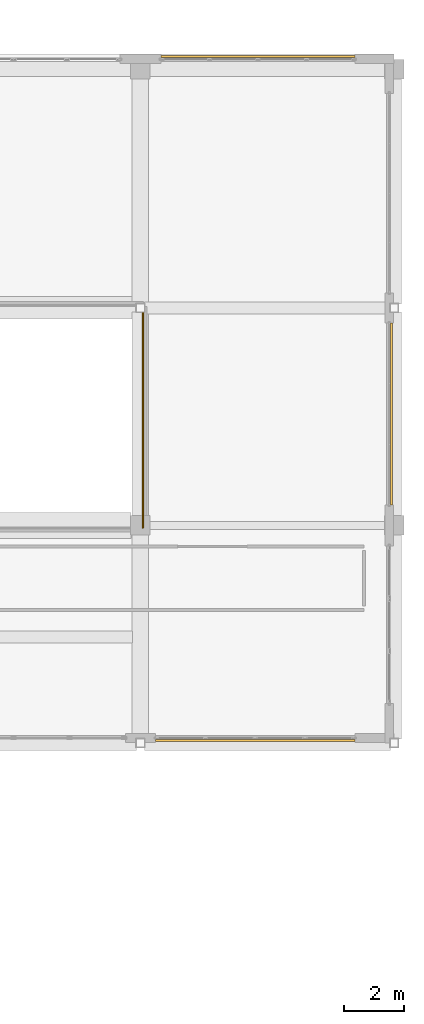
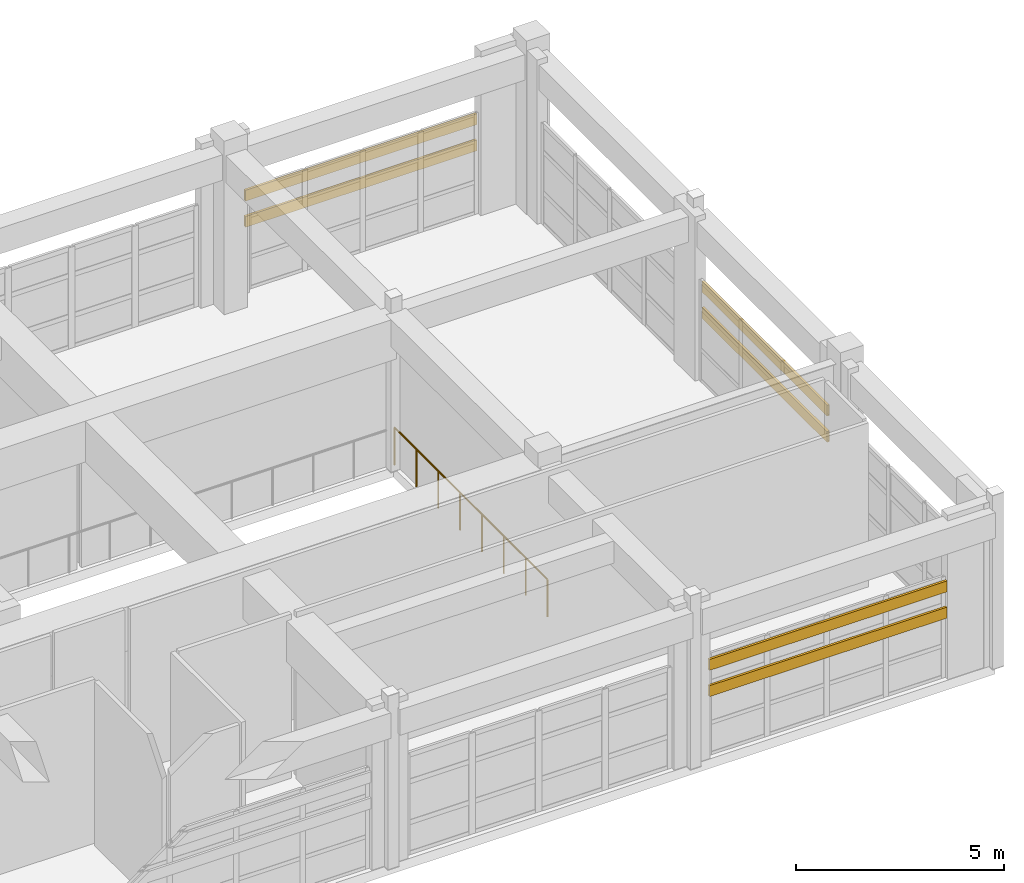
# One storey, part 103 of 103: 6 shading devices, 1 railing.
"""IFC4 building model written with IfcOpenShell, lengths in metres."""

from ifc_helpers import new_model, si_unit, direction, frame, origin, origin_2d, place, context, subcontext, project, spatial, hollow_rectangle, circle, extrude, material, material_profile, profile_set, type_object, element, save


model = new_model("IFC4")

# Units and contexts
model_context = context("Model", 3, precision=1e-05, world=origin(), true_north=direction((0.0, 1.0)))
body_context = subcontext(model_context, "Body", "Model", "MODEL_VIEW")
ifc_project = project(units=[si_unit("LENGTHUNIT", "METRE"), si_unit("AREAUNIT", "SQUARE_METRE"), si_unit("VOLUMEUNIT", "CUBIC_METRE"), si_unit("PLANEANGLEUNIT", "RADIAN"), si_unit("MASSUNIT", "GRAM", prefix="KILO")], contexts=[model_context])

# Site, building, storey
site_placement = place(None, origin())
site = spatial("IfcSite", under=ifc_project, at=site_placement, CompositionType="ELEMENT")
building_placement = place(site_placement, origin())
building = spatial("IfcBuilding", under=site, at=building_placement, Name="Quendrovan Civic Courthouse", CompositionType="ELEMENT")
storey_placement = place(building_placement, frame((0.0, 0.0, 15.300048828125)))
storey = spatial("IfcBuildingStorey", under=building, at=storey_placement, Name="L04", CompositionType="ELEMENT", Elevation=15.300048828125)

# Railing
ifc_material = material(Name="Bronze anodised aluminium", Category="aluminium")
railing_type = type_object("IfcRailingType", Name="RL-ATR-GUARD1100", PredefinedType="GUARDRAIL", material=ifc_material)
railing_placement = place(storey_placement, frame((134.47998046875, 94.719970703125, 0.0)))
element("IfcRailing", 1, at=railing_placement, inside=storey, type_object=railing_type, Name="L04 Atrium and Well Perimeter Guardrail 029", PredefinedType="GUARDRAIL", context=body_context, shape_type="SweptSolid", body=[
    extrude(circle(Radius=0.02392578125, at=origin_2d()), frame((0.0, 0.0, 1.09619140625), z_axis=(0.0, 1.0, 0.0), x_axis=(-1.0, 0.0, 0.0)), (0.0, 0.0, 1.0), 7.360107421875),
    extrude(circle(Radius=0.02099609375, at=origin_2d()), origin(), (0.0, 0.0, 1.0), 1.072021484375),
    extrude(circle(Radius=0.02099609375, at=origin_2d()), frame((0.0, 1.051513671875, 0.0)), (0.0, 0.0, 1.0), 1.072021484375),
    extrude(circle(Radius=0.02099609375, at=origin_2d()), frame((0.0, 2.102783203125, 0.0)), (0.0, 0.0, 1.0), 1.072021484375),
    extrude(circle(Radius=0.02099609375, at=origin_2d()), frame((0.0, 3.154296875, 0.0)), (0.0, 0.0, 1.0), 1.072021484375),
    extrude(circle(Radius=0.02099609375, at=origin_2d()), frame((0.0, 4.205810546875, 0.0)), (0.0, 0.0, 1.0), 1.072021484375),
    extrude(circle(Radius=0.02099609375, at=origin_2d()), frame((0.0, 5.25732421875, 0.0)), (0.0, 0.0, 1.0), 1.072021484375),
    extrude(circle(Radius=0.02099609375, at=origin_2d()), frame((0.0, 6.30859375, 0.0)), (0.0, 0.0, 1.0), 1.072021484375),
    extrude(circle(Radius=0.02099609375, at=origin_2d()), frame((0.0, 7.360107421875, 0.0)), (0.0, 0.0, 1.0), 1.072021484375),
])

# Shading devices
ifc_material_profile = material_profile(ifc_material, hollow_rectangle(XDim=0.06494140625, YDim=0.320068359375, WallThickness=0.0048828125, at=origin_2d()), Name="AL-LOUVRE-65x320")
ifc_profile_set = profile_set([ifc_material_profile], Name="Bronze anodised aluminium")
shading_device_type = type_object("IfcShadingDeviceType", Name="SHD-STORM-LOUVRE", PredefinedType="JALOUSIE", material=ifc_profile_set)
for number, where, z_axis, x_axis, name in (
    (2, (135.074951171875, 110.31494140625, 1.949951171875), (1.0, 0.0, 0.0), (0.0, 1.0, 0.0), "L04 Bronze Hurricane Storm Louvre SLV-169"),
    (3, (135.074951171875, 110.31494140625, 2.719970703125), (1.0, 0.0, 0.0), (0.0, 1.0, 0.0), "L04 Bronze Hurricane Storm Louvre SLV-170"),
):
    element("IfcShadingDevice", number, at=place(storey_placement, frame(where, z_axis=z_axis, x_axis=x_axis)), inside=storey, type_object=shading_device_type, Name=name, PredefinedType="JALOUSIE", context=body_context, shape_type="SweptSolid", body=[
        extrude(hollow_rectangle(XDim=0.06494140625, YDim=0.320068359375, WallThickness=0.0048828125, at=origin_2d()), origin(), (0.0, 0.0, 1.0), 6.425048828125),
    ])
for number, where, z_axis, x_axis, name in (
    (4, (142.715087890625, 101.5, 1.949951171875), (0.0, -1.0, 0.0), (1.0, 0.0, 0.0), "L04 Bronze Hurricane Storm Louvre SLV-171"),
    (5, (142.715087890625, 101.5, 2.719970703125), (0.0, -1.0, 0.0), (1.0, 0.0, 0.0), "L04 Bronze Hurricane Storm Louvre SLV-172"),
):
    element("IfcShadingDevice", number, at=place(storey_placement, frame(where, z_axis=z_axis, x_axis=x_axis)), inside=storey, type_object=shading_device_type, Name=name, PredefinedType="JALOUSIE", context=body_context, shape_type="SweptSolid", body=[
        extrude(hollow_rectangle(XDim=0.06494140625, YDim=0.320068359375, WallThickness=0.0048828125, at=origin_2d()), origin(), (0.0, 0.0, 1.0), 6.02490234375),
    ])
for number, where, z_axis, x_axis, name in (
    (6, (141.5, 87.68505859375, 1.949951171875), (-1.0, 0.0, 0.0), (0.0, -1.0, 0.0), "L04 Bronze Hurricane Storm Louvre SLV-173"),
    (7, (141.5, 87.68505859375, 2.719970703125), (-1.0, 0.0, 0.0), (0.0, -1.0, 0.0), "L04 Bronze Hurricane Storm Louvre SLV-174"),
):
    element("IfcShadingDevice", number, at=place(storey_placement, frame(where, z_axis=z_axis, x_axis=x_axis)), inside=storey, type_object=shading_device_type, Name=name, PredefinedType="JALOUSIE", context=body_context, shape_type="SweptSolid", body=[
        extrude(hollow_rectangle(XDim=0.06494140625, YDim=0.320068359375, WallThickness=0.0048828125, at=origin_2d()), origin(), (0.0, 0.0, 1.0), 6.60009765625),
    ])

save(model, "model.ifc")
